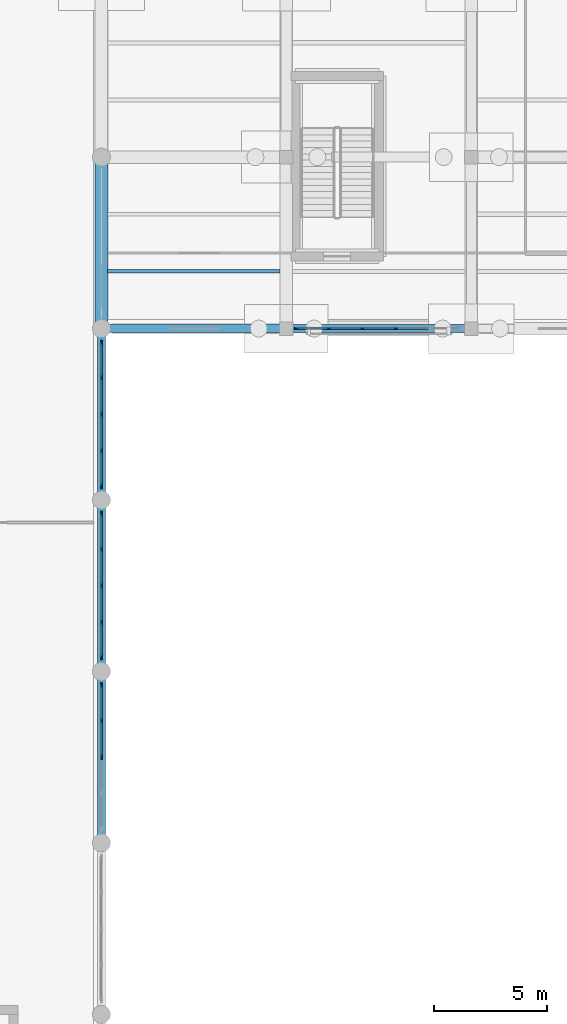
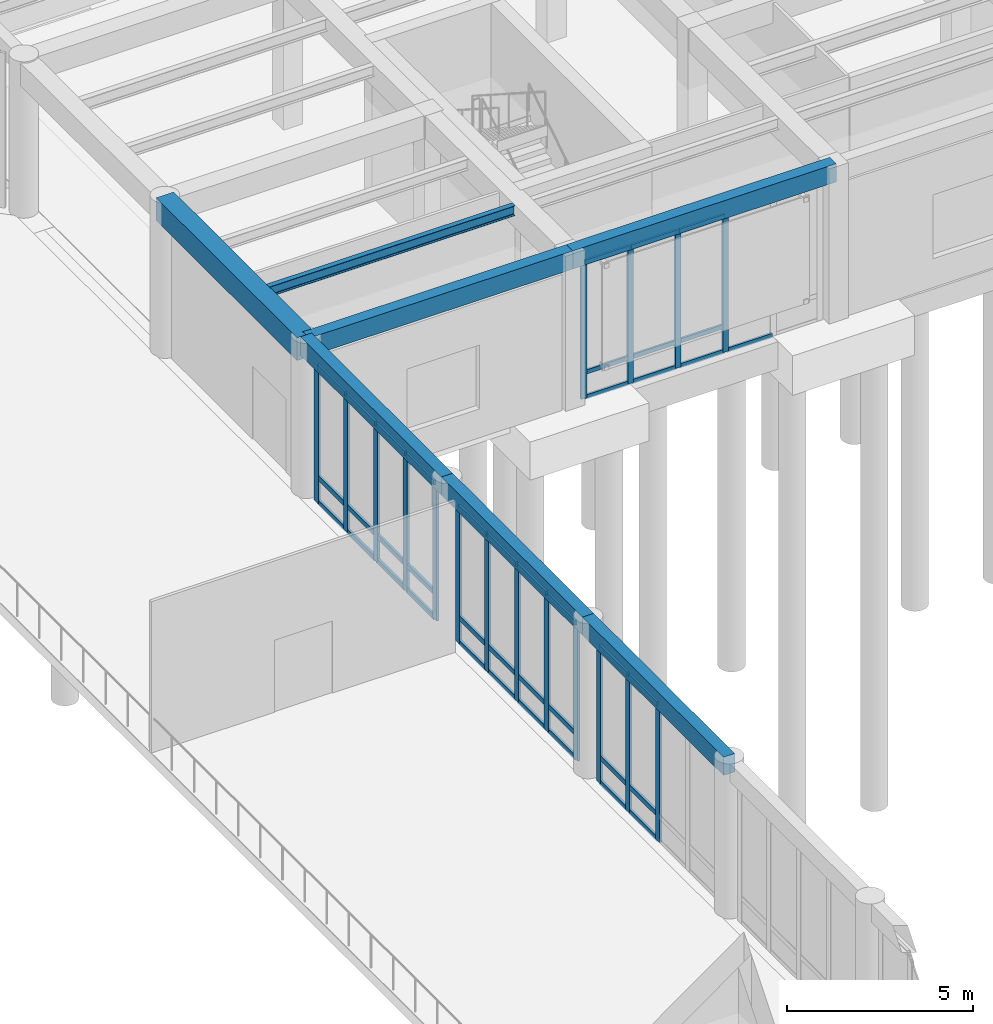
# One storey, part 22 of 64: 57 members, 7 beams, 4 elements without a shape of their own.
"""IFC4 building model written with IfcOpenShell, lengths in metres."""

from ifc_helpers import new_model, si_unit, direction, frame, origin, origin_2d, place, context, subcontext, project, spatial, rectangle, i_section, extrude, material, material_profile, profile_set, type_object, element, aggregate, save


model = new_model("IFC4")

# Units and contexts
model_context = context("Model", 3, precision=1e-05, world=origin(), true_north=direction((0.0, 1.0)))
body_context = subcontext(model_context, "Body", "Model", "MODEL_VIEW")
ifc_project = project(units=[si_unit("LENGTHUNIT", "METRE"), si_unit("AREAUNIT", "SQUARE_METRE"), si_unit("VOLUMEUNIT", "CUBIC_METRE"), si_unit("PLANEANGLEUNIT", "RADIAN"), si_unit("MASSUNIT", "GRAM", prefix="KILO")], contexts=[model_context])

# Site, building, storey
site_placement = place(None, origin())
site = spatial("IfcSite", under=ifc_project, at=site_placement, CompositionType="ELEMENT")
building_placement = place(site_placement, origin())
building = spatial("IfcBuilding", under=site, at=building_placement, Name="Qandaris Square Conservatory and Botanical Centre", CompositionType="ELEMENT")
storey_placement = place(building_placement, origin())
storey = spatial("IfcBuildingStorey", under=building, at=storey_placement, Name="L00", CompositionType="ELEMENT", Elevation=0.0)

# Beam
ifc_material_1 = material(Name="Steel S355", Category="steel")
ifc_material_profile_1 = material_profile(ifc_material_1, i_section(OverallWidth=0.159912109375, OverallDepth=0.330078125, WebThickness=0.007568359375, FlangeThickness=0.011474609375, FilletRadius=0.01806640625, at=origin_2d()), Name="IPE 330")
ifc_profile_set_1 = profile_set([ifc_material_profile_1], Name="Steel S355")
beam_type_1 = type_object("IfcBeamType", Name="Composite Lab Joist IPE 330", PredefinedType="JOIST", material=ifc_profile_set_1)
beam_1_placement = place(storey_placement, frame((57.47509765625, 95.13330078125, 4.925048828125), z_axis=(1.0, 0.0, 0.0), x_axis=(0.0, 1.0, 0.0)))
element("IfcBeam", 1, at=beam_1_placement, inside=storey, type_object=beam_type_1, Name="L00 Composite Joist 0717", PredefinedType="JOIST", context=body_context, shape_type="SweptSolid", body=[
    extrude(i_section(OverallWidth=0.159912109375, OverallDepth=0.330078125, WebThickness=0.007568359375, FlangeThickness=0.011474609375, FilletRadius=0.01806640625, at=origin_2d()), origin(), (0.0, 0.0, 1.0), 7.64990234375),
])

# Curtain wall, members
ifc_material_2 = material(Name="Anodised Aluminium", Category="aluminium")
curtain_wall_type_1 = type_object("IfcCurtainWallType", Name="Unitised Curtain Wall CW-1-644x450", PredefinedType="USERDEFINED", material=ifc_material_2)
curtain_wall_1_placement = place(storey_placement, origin())
curtain_wall_1 = element("IfcCurtainWall", 2, at=curtain_wall_1_placement, inside=storey, type_object=curtain_wall_type_1, Name="Curtain Wall CW-CON-L00-3-3", ObjectType="GLAZED CURTAIN WALL", PredefinedType="USERDEFINED")
ifc_material_profile_2 = material_profile(ifc_material_2, rectangle(XDim=0.074951171875, YDim=0.219970703125, at=origin_2d()), Name="ALU-MUL 75x220")
ifc_profile_set_2 = profile_set([ifc_material_profile_2], Name="Anodised Aluminium")
member_type_1 = type_object("IfcMemberType", Name="Conservatory Heavy Mullion 75x220", PredefinedType="MULLION", material=ifc_profile_set_2)
member_1_placement = place(storey_placement, frame((57.199951171875, 73.60009765625, 0.0), z_axis=(0.0, 0.0, 1.0), x_axis=(-1.0, 0.0, 0.0)))
member_1 = element("IfcMember", 3, at=member_1_placement, type_object=member_type_1, Name="CW-1-644x450 mullion 3", PredefinedType="MULLION", context=body_context, shape_type="SweptSolid", body=[
    extrude(rectangle(XDim=0.074951171875, YDim=0.219970703125, at=origin_2d()), origin(), (0.0, 0.0, 1.0), 4.5),
])
member_2_placement = place(storey_placement, frame((57.199951171875, 75.2099609375, 0.0), z_axis=(0.0, 0.0, 1.0), x_axis=(-1.0, 0.0, 0.0)))
member_2 = element("IfcMember", 4, at=member_2_placement, type_object=member_type_1, Name="CW-1-644x450 mullion 4", PredefinedType="MULLION", context=body_context, shape_type="SweptSolid", body=[
    extrude(rectangle(XDim=0.074951171875, YDim=0.219970703125, at=origin_2d()), origin(), (0.0, 0.0, 1.0), 4.5),
])
member_3_placement = place(storey_placement, frame((57.199951171875, 76.782470703125, 0.0), z_axis=(0.0, 0.0, 1.0), x_axis=(-1.0, 0.0, 0.0)))
member_3 = element("IfcMember", 5, at=member_3_placement, type_object=member_type_1, Name="CW-1-644x450 mullion 5", PredefinedType="MULLION", context=body_context, shape_type="SweptSolid", body=[
    extrude(rectangle(XDim=0.074951171875, YDim=0.219970703125, at=origin_2d()), origin(), (0.0, 0.0, 1.0), 4.5),
])

curtain_wall_2_placement = place(storey_placement, origin())
curtain_wall_2 = element("IfcCurtainWall", 6, at=curtain_wall_2_placement, inside=storey, type_object=curtain_wall_type_1, Name="Curtain Wall CW-CON-L00-3-4", ObjectType="GLAZED CURTAIN WALL", PredefinedType="USERDEFINED")
member_4_placement = place(storey_placement, frame((57.199951171875, 78.017578125, 0.0), z_axis=(0.0, 0.0, 1.0), x_axis=(-1.0, 0.0, 0.0)))
member_4 = element("IfcMember", 7, at=member_4_placement, type_object=member_type_1, Name="CW-1-644x450 mullion 1", PredefinedType="MULLION", context=body_context, shape_type="SweptSolid", body=[
    extrude(rectangle(XDim=0.074951171875, YDim=0.219970703125, at=origin_2d()), origin(), (0.0, 0.0, 1.0), 4.5),
])
member_5_placement = place(storey_placement, frame((57.199951171875, 79.590087890625, 0.0), z_axis=(0.0, 0.0, 1.0), x_axis=(-1.0, 0.0, 0.0)))
member_5 = element("IfcMember", 8, at=member_5_placement, type_object=member_type_1, Name="CW-1-644x450 mullion 2", PredefinedType="MULLION", context=body_context, shape_type="SweptSolid", body=[
    extrude(rectangle(XDim=0.074951171875, YDim=0.219970703125, at=origin_2d()), origin(), (0.0, 0.0, 1.0), 4.5),
])
member_6_placement = place(storey_placement, frame((57.199951171875, 81.199951171875, 0.0), z_axis=(0.0, 0.0, 1.0), x_axis=(-1.0, 0.0, 0.0)))
member_6 = element("IfcMember", 9, at=member_6_placement, type_object=member_type_1, Name="CW-1-644x450 mullion 3", PredefinedType="MULLION", context=body_context, shape_type="SweptSolid", body=[
    extrude(rectangle(XDim=0.074951171875, YDim=0.219970703125, at=origin_2d()), origin(), (0.0, 0.0, 1.0), 4.5),
])
member_7_placement = place(storey_placement, frame((57.199951171875, 82.81005859375, 0.0), z_axis=(0.0, 0.0, 1.0), x_axis=(-1.0, 0.0, 0.0)))
member_7 = element("IfcMember", 10, at=member_7_placement, type_object=member_type_1, Name="CW-1-644x450 mullion 4", PredefinedType="MULLION", context=body_context, shape_type="SweptSolid", body=[
    extrude(rectangle(XDim=0.074951171875, YDim=0.219970703125, at=origin_2d()), origin(), (0.0, 0.0, 1.0), 4.5),
])
member_8_placement = place(storey_placement, frame((57.199951171875, 84.382568359375, 0.0), z_axis=(0.0, 0.0, 1.0), x_axis=(-1.0, 0.0, 0.0)))
member_8 = element("IfcMember", 11, at=member_8_placement, type_object=member_type_1, Name="CW-1-644x450 mullion 5", PredefinedType="MULLION", context=body_context, shape_type="SweptSolid", body=[
    extrude(rectangle(XDim=0.074951171875, YDim=0.219970703125, at=origin_2d()), origin(), (0.0, 0.0, 1.0), 4.5),
])

curtain_wall_3_placement = place(storey_placement, origin())
curtain_wall_3 = element("IfcCurtainWall", 12, at=curtain_wall_3_placement, inside=storey, type_object=curtain_wall_type_1, Name="Curtain Wall CW-CON-L00-3-5", ObjectType="GLAZED CURTAIN WALL", PredefinedType="USERDEFINED")
member_9_placement = place(storey_placement, frame((57.199951171875, 85.617431640625, 0.0), z_axis=(0.0, 0.0, 1.0), x_axis=(-1.0, 0.0, 0.0)))
member_9 = element("IfcMember", 13, at=member_9_placement, type_object=member_type_1, Name="CW-1-644x450 mullion 1", PredefinedType="MULLION", context=body_context, shape_type="SweptSolid", body=[
    extrude(rectangle(XDim=0.074951171875, YDim=0.219970703125, at=origin_2d()), origin(), (0.0, 0.0, 1.0), 4.5),
])
member_10_placement = place(storey_placement, frame((57.199951171875, 87.18994140625, 0.0), z_axis=(0.0, 0.0, 1.0), x_axis=(-1.0, 0.0, 0.0)))
member_10 = element("IfcMember", 14, at=member_10_placement, type_object=member_type_1, Name="CW-1-644x450 mullion 2", PredefinedType="MULLION", context=body_context, shape_type="SweptSolid", body=[
    extrude(rectangle(XDim=0.074951171875, YDim=0.219970703125, at=origin_2d()), origin(), (0.0, 0.0, 1.0), 4.5),
])
member_11_placement = place(storey_placement, frame((57.199951171875, 88.800048828125, 0.0), z_axis=(0.0, 0.0, 1.0), x_axis=(-1.0, 0.0, 0.0)))
member_11 = element("IfcMember", 15, at=member_11_placement, type_object=member_type_1, Name="CW-1-644x450 mullion 3", PredefinedType="MULLION", context=body_context, shape_type="SweptSolid", body=[
    extrude(rectangle(XDim=0.074951171875, YDim=0.219970703125, at=origin_2d()), origin(), (0.0, 0.0, 1.0), 4.5),
])
member_12_placement = place(storey_placement, frame((57.199951171875, 90.409912109375, 0.0), z_axis=(0.0, 0.0, 1.0), x_axis=(-1.0, 0.0, 0.0)))
member_12 = element("IfcMember", 16, at=member_12_placement, type_object=member_type_1, Name="CW-1-644x450 mullion 4", PredefinedType="MULLION", context=body_context, shape_type="SweptSolid", body=[
    extrude(rectangle(XDim=0.074951171875, YDim=0.219970703125, at=origin_2d()), origin(), (0.0, 0.0, 1.0), 4.5),
])
member_13_placement = place(storey_placement, frame((57.199951171875, 91.982421875, 0.0), z_axis=(0.0, 0.0, 1.0), x_axis=(-1.0, 0.0, 0.0)))
member_13 = element("IfcMember", 17, at=member_13_placement, type_object=member_type_1, Name="CW-1-644x450 mullion 5", PredefinedType="MULLION", context=body_context, shape_type="SweptSolid", body=[
    extrude(rectangle(XDim=0.074951171875, YDim=0.219970703125, at=origin_2d()), origin(), (0.0, 0.0, 1.0), 4.5),
])

# Member
ifc_material_profile_3 = material_profile(ifc_material_2, rectangle(XDim=0.074951171875, YDim=0.159912109375, at=origin_2d()), Name="ALU-TRN 75x160")
ifc_profile_set_3 = profile_set([ifc_material_profile_3], Name="Anodised Aluminium")
member_type_2 = type_object("IfcMemberType", Name="Conservatory Heavy Transom 75x160", PredefinedType="USERDEFINED", material=ifc_profile_set_3)
member_14_placement = place(storey_placement, frame((57.199951171875, 73.637451171875, 0.03759765625), z_axis=(0.0, 1.0, 0.0), x_axis=(-1.0, 0.0, 0.0)))
member_14 = element("IfcMember", 18, at=member_14_placement, type_object=member_type_2, Name="CW-1-644x450 transom 3.1", ObjectType="TRANSOM", PredefinedType="USERDEFINED", context=body_context, shape_type="SweptSolid", body=[
    extrude(rectangle(XDim=0.074951171875, YDim=0.159912109375, at=origin_2d()), origin(), (0.0, 0.0, 1.0), 1.53515625),
])

member_15_placement = place(storey_placement, frame((57.199951171875, 73.637451171875, 0.85009765625), z_axis=(0.0, 1.0, 0.0), x_axis=(-1.0, 0.0, 0.0)))
member_15 = element("IfcMember", 19, at=member_15_placement, type_object=member_type_2, Name="CW-1-644x450 transom 3.2", ObjectType="TRANSOM", PredefinedType="USERDEFINED", context=body_context, shape_type="SweptSolid", body=[
    extrude(rectangle(XDim=0.074951171875, YDim=0.159912109375, at=origin_2d()), origin(), (0.0, 0.0, 1.0), 1.53515625),
])

member_16_placement = place(storey_placement, frame((57.199951171875, 73.637451171875, 4.46240234375), z_axis=(0.0, 1.0, 0.0), x_axis=(-1.0, 0.0, 0.0)))
member_16 = element("IfcMember", 20, at=member_16_placement, type_object=member_type_2, Name="CW-1-644x450 transom 3.3", ObjectType="TRANSOM", PredefinedType="USERDEFINED", context=body_context, shape_type="SweptSolid", body=[
    extrude(rectangle(XDim=0.074951171875, YDim=0.159912109375, at=origin_2d()), origin(), (0.0, 0.0, 1.0), 1.53515625),
])

member_17_placement = place(storey_placement, frame((57.199951171875, 75.24755859375, 0.03759765625), z_axis=(0.0, 1.0, 0.0), x_axis=(-1.0, 0.0, 0.0)))
member_17 = element("IfcMember", 21, at=member_17_placement, type_object=member_type_2, Name="CW-1-644x450 transom 4.1", ObjectType="TRANSOM", PredefinedType="USERDEFINED", context=body_context, shape_type="SweptSolid", body=[
    extrude(rectangle(XDim=0.074951171875, YDim=0.159912109375, at=origin_2d()), origin(), (0.0, 0.0, 1.0), 1.49755859375),
])

member_18_placement = place(storey_placement, frame((57.199951171875, 75.24755859375, 0.85009765625), z_axis=(0.0, 1.0, 0.0), x_axis=(-1.0, 0.0, 0.0)))
member_18 = element("IfcMember", 22, at=member_18_placement, type_object=member_type_2, Name="CW-1-644x450 transom 4.2", ObjectType="TRANSOM", PredefinedType="USERDEFINED", context=body_context, shape_type="SweptSolid", body=[
    extrude(rectangle(XDim=0.074951171875, YDim=0.159912109375, at=origin_2d()), origin(), (0.0, 0.0, 1.0), 1.49755859375),
])

member_19_placement = place(storey_placement, frame((57.199951171875, 75.24755859375, 4.46240234375), z_axis=(0.0, 1.0, 0.0), x_axis=(-1.0, 0.0, 0.0)))
member_19 = element("IfcMember", 23, at=member_19_placement, type_object=member_type_2, Name="CW-1-644x450 transom 4.3", ObjectType="TRANSOM", PredefinedType="USERDEFINED", context=body_context, shape_type="SweptSolid", body=[
    extrude(rectangle(XDim=0.074951171875, YDim=0.159912109375, at=origin_2d()), origin(), (0.0, 0.0, 1.0), 1.49755859375),
])

aggregate(curtain_wall_1, [member_1, member_2, member_3, member_14, member_15, member_16, member_17, member_18, member_19])

member_20_placement = place(storey_placement, frame((57.199951171875, 78.054931640625, 0.03759765625), z_axis=(0.0, 1.0, 0.0), x_axis=(-1.0, 0.0, 0.0)))
member_20 = element("IfcMember", 24, at=member_20_placement, type_object=member_type_2, Name="CW-1-644x450 transom 1.1", ObjectType="TRANSOM", PredefinedType="USERDEFINED", context=body_context, shape_type="SweptSolid", body=[
    extrude(rectangle(XDim=0.074951171875, YDim=0.159912109375, at=origin_2d()), origin(), (0.0, 0.0, 1.0), 1.49755859375),
])

member_21_placement = place(storey_placement, frame((57.199951171875, 78.054931640625, 0.85009765625), z_axis=(0.0, 1.0, 0.0), x_axis=(-1.0, 0.0, 0.0)))
member_21 = element("IfcMember", 25, at=member_21_placement, type_object=member_type_2, Name="CW-1-644x450 transom 1.2", ObjectType="TRANSOM", PredefinedType="USERDEFINED", context=body_context, shape_type="SweptSolid", body=[
    extrude(rectangle(XDim=0.074951171875, YDim=0.159912109375, at=origin_2d()), origin(), (0.0, 0.0, 1.0), 1.49755859375),
])

member_22_placement = place(storey_placement, frame((57.199951171875, 78.054931640625, 4.46240234375), z_axis=(0.0, 1.0, 0.0), x_axis=(-1.0, 0.0, 0.0)))
member_22 = element("IfcMember", 26, at=member_22_placement, type_object=member_type_2, Name="CW-1-644x450 transom 1.3", ObjectType="TRANSOM", PredefinedType="USERDEFINED", context=body_context, shape_type="SweptSolid", body=[
    extrude(rectangle(XDim=0.074951171875, YDim=0.159912109375, at=origin_2d()), origin(), (0.0, 0.0, 1.0), 1.49755859375),
])

member_23_placement = place(storey_placement, frame((57.199951171875, 79.62744140625, 0.03759765625), z_axis=(0.0, 1.0, 0.0), x_axis=(-1.0, 0.0, 0.0)))
member_23 = element("IfcMember", 27, at=member_23_placement, type_object=member_type_2, Name="CW-1-644x450 transom 2.1", ObjectType="TRANSOM", PredefinedType="USERDEFINED", context=body_context, shape_type="SweptSolid", body=[
    extrude(rectangle(XDim=0.074951171875, YDim=0.159912109375, at=origin_2d()), origin(), (0.0, 0.0, 1.0), 1.53515625),
])

member_24_placement = place(storey_placement, frame((57.199951171875, 79.62744140625, 0.85009765625), z_axis=(0.0, 1.0, 0.0), x_axis=(-1.0, 0.0, 0.0)))
member_24 = element("IfcMember", 28, at=member_24_placement, type_object=member_type_2, Name="CW-1-644x450 transom 2.2", ObjectType="TRANSOM", PredefinedType="USERDEFINED", context=body_context, shape_type="SweptSolid", body=[
    extrude(rectangle(XDim=0.074951171875, YDim=0.159912109375, at=origin_2d()), origin(), (0.0, 0.0, 1.0), 1.53515625),
])

member_25_placement = place(storey_placement, frame((57.199951171875, 79.62744140625, 4.46240234375), z_axis=(0.0, 1.0, 0.0), x_axis=(-1.0, 0.0, 0.0)))
member_25 = element("IfcMember", 29, at=member_25_placement, type_object=member_type_2, Name="CW-1-644x450 transom 2.3", ObjectType="TRANSOM", PredefinedType="USERDEFINED", context=body_context, shape_type="SweptSolid", body=[
    extrude(rectangle(XDim=0.074951171875, YDim=0.159912109375, at=origin_2d()), origin(), (0.0, 0.0, 1.0), 1.53515625),
])

member_26_placement = place(storey_placement, frame((57.199951171875, 81.237548828125, 0.03759765625), z_axis=(0.0, 1.0, 0.0), x_axis=(-1.0, 0.0, 0.0)))
member_26 = element("IfcMember", 30, at=member_26_placement, type_object=member_type_2, Name="CW-1-644x450 transom 3.1", ObjectType="TRANSOM", PredefinedType="USERDEFINED", context=body_context, shape_type="SweptSolid", body=[
    extrude(rectangle(XDim=0.074951171875, YDim=0.159912109375, at=origin_2d()), origin(), (0.0, 0.0, 1.0), 1.534912109375),
])

member_27_placement = place(storey_placement, frame((57.199951171875, 81.237548828125, 0.85009765625), z_axis=(0.0, 1.0, 0.0), x_axis=(-1.0, 0.0, 0.0)))
member_27 = element("IfcMember", 31, at=member_27_placement, type_object=member_type_2, Name="CW-1-644x450 transom 3.2", ObjectType="TRANSOM", PredefinedType="USERDEFINED", context=body_context, shape_type="SweptSolid", body=[
    extrude(rectangle(XDim=0.074951171875, YDim=0.159912109375, at=origin_2d()), origin(), (0.0, 0.0, 1.0), 1.534912109375),
])

member_28_placement = place(storey_placement, frame((57.199951171875, 81.237548828125, 4.46240234375), z_axis=(0.0, 1.0, 0.0), x_axis=(-1.0, 0.0, 0.0)))
member_28 = element("IfcMember", 32, at=member_28_placement, type_object=member_type_2, Name="CW-1-644x450 transom 3.3", ObjectType="TRANSOM", PredefinedType="USERDEFINED", context=body_context, shape_type="SweptSolid", body=[
    extrude(rectangle(XDim=0.074951171875, YDim=0.159912109375, at=origin_2d()), origin(), (0.0, 0.0, 1.0), 1.534912109375),
])

member_29_placement = place(storey_placement, frame((57.199951171875, 82.847412109375, 0.03759765625), z_axis=(0.0, 1.0, 0.0), x_axis=(-1.0, 0.0, 0.0)))
member_29 = element("IfcMember", 33, at=member_29_placement, type_object=member_type_2, Name="CW-1-644x450 transom 4.1", ObjectType="TRANSOM", PredefinedType="USERDEFINED", context=body_context, shape_type="SweptSolid", body=[
    extrude(rectangle(XDim=0.074951171875, YDim=0.159912109375, at=origin_2d()), origin(), (0.0, 0.0, 1.0), 1.49755859375),
])

member_30_placement = place(storey_placement, frame((57.199951171875, 82.847412109375, 0.85009765625), z_axis=(0.0, 1.0, 0.0), x_axis=(-1.0, 0.0, 0.0)))
member_30 = element("IfcMember", 34, at=member_30_placement, type_object=member_type_2, Name="CW-1-644x450 transom 4.2", ObjectType="TRANSOM", PredefinedType="USERDEFINED", context=body_context, shape_type="SweptSolid", body=[
    extrude(rectangle(XDim=0.074951171875, YDim=0.159912109375, at=origin_2d()), origin(), (0.0, 0.0, 1.0), 1.49755859375),
])

member_31_placement = place(storey_placement, frame((57.199951171875, 82.847412109375, 4.46240234375), z_axis=(0.0, 1.0, 0.0), x_axis=(-1.0, 0.0, 0.0)))
member_31 = element("IfcMember", 35, at=member_31_placement, type_object=member_type_2, Name="CW-1-644x450 transom 4.3", ObjectType="TRANSOM", PredefinedType="USERDEFINED", context=body_context, shape_type="SweptSolid", body=[
    extrude(rectangle(XDim=0.074951171875, YDim=0.159912109375, at=origin_2d()), origin(), (0.0, 0.0, 1.0), 1.49755859375),
])

aggregate(curtain_wall_2, [member_4, member_5, member_6, member_7, member_8, member_20, member_21, member_22, member_23, member_24, member_25, member_26, member_27, member_28, member_29, member_30, member_31])

member_32_placement = place(storey_placement, frame((57.199951171875, 85.655029296875, 0.03759765625), z_axis=(0.0, 1.0, 0.0), x_axis=(-1.0, 0.0, 0.0)))
member_32 = element("IfcMember", 36, at=member_32_placement, type_object=member_type_2, Name="CW-1-644x450 transom 1.1", ObjectType="TRANSOM", PredefinedType="USERDEFINED", context=body_context, shape_type="SweptSolid", body=[
    extrude(rectangle(XDim=0.074951171875, YDim=0.159912109375, at=origin_2d()), origin(), (0.0, 0.0, 1.0), 1.49755859375),
])

member_33_placement = place(storey_placement, frame((57.199951171875, 85.655029296875, 0.85009765625), z_axis=(0.0, 1.0, 0.0), x_axis=(-1.0, 0.0, 0.0)))
member_33 = element("IfcMember", 37, at=member_33_placement, type_object=member_type_2, Name="CW-1-644x450 transom 1.2", ObjectType="TRANSOM", PredefinedType="USERDEFINED", context=body_context, shape_type="SweptSolid", body=[
    extrude(rectangle(XDim=0.074951171875, YDim=0.159912109375, at=origin_2d()), origin(), (0.0, 0.0, 1.0), 1.49755859375),
])

member_34_placement = place(storey_placement, frame((57.199951171875, 85.655029296875, 4.46240234375), z_axis=(0.0, 1.0, 0.0), x_axis=(-1.0, 0.0, 0.0)))
member_34 = element("IfcMember", 38, at=member_34_placement, type_object=member_type_2, Name="CW-1-644x450 transom 1.3", ObjectType="TRANSOM", PredefinedType="USERDEFINED", context=body_context, shape_type="SweptSolid", body=[
    extrude(rectangle(XDim=0.074951171875, YDim=0.159912109375, at=origin_2d()), origin(), (0.0, 0.0, 1.0), 1.49755859375),
])

member_35_placement = place(storey_placement, frame((57.199951171875, 87.2275390625, 0.03759765625), z_axis=(0.0, 1.0, 0.0), x_axis=(-1.0, 0.0, 0.0)))
member_35 = element("IfcMember", 39, at=member_35_placement, type_object=member_type_2, Name="CW-1-644x450 transom 2.1", ObjectType="TRANSOM", PredefinedType="USERDEFINED", context=body_context, shape_type="SweptSolid", body=[
    extrude(rectangle(XDim=0.074951171875, YDim=0.159912109375, at=origin_2d()), origin(), (0.0, 0.0, 1.0), 1.534912109375),
])

member_36_placement = place(storey_placement, frame((57.199951171875, 87.2275390625, 0.85009765625), z_axis=(0.0, 1.0, 0.0), x_axis=(-1.0, 0.0, 0.0)))
member_36 = element("IfcMember", 40, at=member_36_placement, type_object=member_type_2, Name="CW-1-644x450 transom 2.2", ObjectType="TRANSOM", PredefinedType="USERDEFINED", context=body_context, shape_type="SweptSolid", body=[
    extrude(rectangle(XDim=0.074951171875, YDim=0.159912109375, at=origin_2d()), origin(), (0.0, 0.0, 1.0), 1.534912109375),
])

member_37_placement = place(storey_placement, frame((57.199951171875, 87.2275390625, 4.46240234375), z_axis=(0.0, 1.0, 0.0), x_axis=(-1.0, 0.0, 0.0)))
member_37 = element("IfcMember", 41, at=member_37_placement, type_object=member_type_2, Name="CW-1-644x450 transom 2.3", ObjectType="TRANSOM", PredefinedType="USERDEFINED", context=body_context, shape_type="SweptSolid", body=[
    extrude(rectangle(XDim=0.074951171875, YDim=0.159912109375, at=origin_2d()), origin(), (0.0, 0.0, 1.0), 1.534912109375),
])

member_38_placement = place(storey_placement, frame((57.199951171875, 88.83740234375, 0.03759765625), z_axis=(0.0, 1.0, 0.0), x_axis=(-1.0, 0.0, 0.0)))
member_38 = element("IfcMember", 42, at=member_38_placement, type_object=member_type_2, Name="CW-1-644x450 transom 3.1", ObjectType="TRANSOM", PredefinedType="USERDEFINED", context=body_context, shape_type="SweptSolid", body=[
    extrude(rectangle(XDim=0.074951171875, YDim=0.159912109375, at=origin_2d()), origin(), (0.0, 0.0, 1.0), 1.53515625),
])

member_39_placement = place(storey_placement, frame((57.199951171875, 88.83740234375, 0.85009765625), z_axis=(0.0, 1.0, 0.0), x_axis=(-1.0, 0.0, 0.0)))
member_39 = element("IfcMember", 43, at=member_39_placement, type_object=member_type_2, Name="CW-1-644x450 transom 3.2", ObjectType="TRANSOM", PredefinedType="USERDEFINED", context=body_context, shape_type="SweptSolid", body=[
    extrude(rectangle(XDim=0.074951171875, YDim=0.159912109375, at=origin_2d()), origin(), (0.0, 0.0, 1.0), 1.53515625),
])

member_40_placement = place(storey_placement, frame((57.199951171875, 88.83740234375, 4.46240234375), z_axis=(0.0, 1.0, 0.0), x_axis=(-1.0, 0.0, 0.0)))
member_40 = element("IfcMember", 44, at=member_40_placement, type_object=member_type_2, Name="CW-1-644x450 transom 3.3", ObjectType="TRANSOM", PredefinedType="USERDEFINED", context=body_context, shape_type="SweptSolid", body=[
    extrude(rectangle(XDim=0.074951171875, YDim=0.159912109375, at=origin_2d()), origin(), (0.0, 0.0, 1.0), 1.53515625),
])

member_41_placement = place(storey_placement, frame((57.199951171875, 90.447509765625, 0.03759765625), z_axis=(0.0, 1.0, 0.0), x_axis=(-1.0, 0.0, 0.0)))
member_41 = element("IfcMember", 45, at=member_41_placement, type_object=member_type_2, Name="CW-1-644x450 transom 4.1", ObjectType="TRANSOM", PredefinedType="USERDEFINED", context=body_context, shape_type="SweptSolid", body=[
    extrude(rectangle(XDim=0.074951171875, YDim=0.159912109375, at=origin_2d()), origin(), (0.0, 0.0, 1.0), 1.49755859375),
])

member_42_placement = place(storey_placement, frame((57.199951171875, 90.447509765625, 0.85009765625), z_axis=(0.0, 1.0, 0.0), x_axis=(-1.0, 0.0, 0.0)))
member_42 = element("IfcMember", 46, at=member_42_placement, type_object=member_type_2, Name="CW-1-644x450 transom 4.2", ObjectType="TRANSOM", PredefinedType="USERDEFINED", context=body_context, shape_type="SweptSolid", body=[
    extrude(rectangle(XDim=0.074951171875, YDim=0.159912109375, at=origin_2d()), origin(), (0.0, 0.0, 1.0), 1.49755859375),
])

member_43_placement = place(storey_placement, frame((57.199951171875, 90.447509765625, 4.46240234375), z_axis=(0.0, 1.0, 0.0), x_axis=(-1.0, 0.0, 0.0)))
member_43 = element("IfcMember", 47, at=member_43_placement, type_object=member_type_2, Name="CW-1-644x450 transom 4.3", ObjectType="TRANSOM", PredefinedType="USERDEFINED", context=body_context, shape_type="SweptSolid", body=[
    extrude(rectangle(XDim=0.074951171875, YDim=0.159912109375, at=origin_2d()), origin(), (0.0, 0.0, 1.0), 1.49755859375),
])

aggregate(curtain_wall_3, [member_9, member_10, member_11, member_12, member_13, member_32, member_33, member_34, member_35, member_36, member_37, member_38, member_39, member_40, member_41, member_42, member_43])

# Curtain wall, members
curtain_wall_type_2 = type_object("IfcCurtainWallType", Name="Unitised Curtain Wall CW-5-740x450", PredefinedType="USERDEFINED", material=ifc_material_2)
curtain_wall_4_placement = place(storey_placement, origin())
curtain_wall_4 = element("IfcCurtainWall", 48, at=curtain_wall_4_placement, inside=storey, type_object=curtain_wall_type_2, Name="Curtain Wall CW-V3B-L00-1-2", ObjectType="GLAZED CURTAIN WALL", PredefinedType="USERDEFINED")
ifc_material_profile_4 = material_profile(ifc_material_2, rectangle(XDim=0.06494140625, YDim=0.179931640625, at=origin_2d()), Name="ALU-MUL 65x180")
ifc_profile_set_4 = profile_set([ifc_material_profile_4], Name="Anodised Aluminium")
member_type_3 = type_object("IfcMemberType", Name="Curtain Wall Mullion 65x180", PredefinedType="MULLION", material=ifc_profile_set_4)
member_44_placement = place(storey_placement, frame((65.83251953125, 92.60009765625, 0.0), z_axis=(0.0, 0.0, 1.0), x_axis=(0.0, 1.0, 0.0)))
member_44 = element("IfcMember", 49, at=member_44_placement, type_object=member_type_3, Name="CW-5-740x450 mullion 1", PredefinedType="MULLION", context=body_context, shape_type="SweptSolid", body=[
    extrude(rectangle(XDim=0.06494140625, YDim=0.179931640625, at=origin_2d()), origin(), (0.0, 0.0, 1.0), 4.5),
])
member_45_placement = place(storey_placement, frame((67.280029296875, 92.60009765625, 0.0), z_axis=(0.0, 0.0, 1.0), x_axis=(0.0, 1.0, 0.0)))
member_45 = element("IfcMember", 50, at=member_45_placement, type_object=member_type_3, Name="CW-5-740x450 mullion 2", PredefinedType="MULLION", context=body_context, shape_type="SweptSolid", body=[
    extrude(rectangle(XDim=0.06494140625, YDim=0.179931640625, at=origin_2d()), origin(), (0.0, 0.0, 1.0), 4.5),
])
member_46_placement = place(storey_placement, frame((68.760009765625, 92.60009765625, 0.0), z_axis=(0.0, 0.0, 1.0), x_axis=(0.0, 1.0, 0.0)))
member_46 = element("IfcMember", 51, at=member_46_placement, type_object=member_type_3, Name="CW-5-740x450 mullion 3", PredefinedType="MULLION", context=body_context, shape_type="SweptSolid", body=[
    extrude(rectangle(XDim=0.06494140625, YDim=0.179931640625, at=origin_2d()), origin(), (0.0, 0.0, 1.0), 4.5),
])
member_47_placement = place(storey_placement, frame((70.239990234375, 92.60009765625, 0.0), z_axis=(0.0, 0.0, 1.0), x_axis=(0.0, 1.0, 0.0)))
member_47 = element("IfcMember", 52, at=member_47_placement, type_object=member_type_3, Name="CW-5-740x450 mullion 4", PredefinedType="MULLION", context=body_context, shape_type="SweptSolid", body=[
    extrude(rectangle(XDim=0.06494140625, YDim=0.179931640625, at=origin_2d()), origin(), (0.0, 0.0, 1.0), 4.5),
])
ifc_material_profile_5 = material_profile(ifc_material_2, rectangle(XDim=0.06494140625, YDim=0.139892578125, at=origin_2d()), Name="ALU-TRN 65x140")
ifc_profile_set_5 = profile_set([ifc_material_profile_5], Name="Anodised Aluminium")
member_type_4 = type_object("IfcMemberType", Name="Curtain Wall Transom 65x140", PredefinedType="USERDEFINED", material=ifc_profile_set_5)
member_48_placement = place(storey_placement, frame((65.864990234375, 92.60009765625, 0.032470703125), z_axis=(1.0, 0.0, 0.0), x_axis=(0.0, 1.0, 0.0)))
member_48 = element("IfcMember", 53, at=member_48_placement, type_object=member_type_4, Name="CW-5-740x450 transom 1.1", ObjectType="TRANSOM", PredefinedType="USERDEFINED", context=body_context, shape_type="SweptSolid", body=[
    extrude(rectangle(XDim=0.06494140625, YDim=0.139892578125, at=origin_2d()), origin(), (0.0, 0.0, 1.0), 1.382568359375),
])
member_49_placement = place(storey_placement, frame((65.864990234375, 92.60009765625, 0.85009765625), z_axis=(1.0, 0.0, 0.0), x_axis=(0.0, 1.0, 0.0)))
member_49 = element("IfcMember", 54, at=member_49_placement, type_object=member_type_4, Name="CW-5-740x450 transom 1.2", ObjectType="TRANSOM", PredefinedType="USERDEFINED", context=body_context, shape_type="SweptSolid", body=[
    extrude(rectangle(XDim=0.06494140625, YDim=0.139892578125, at=origin_2d()), origin(), (0.0, 0.0, 1.0), 1.382568359375),
])
member_50_placement = place(storey_placement, frame((65.864990234375, 92.60009765625, 4.467529296875), z_axis=(1.0, 0.0, 0.0), x_axis=(0.0, 1.0, 0.0)))
member_50 = element("IfcMember", 55, at=member_50_placement, type_object=member_type_4, Name="CW-5-740x450 transom 1.3", ObjectType="TRANSOM", PredefinedType="USERDEFINED", context=body_context, shape_type="SweptSolid", body=[
    extrude(rectangle(XDim=0.06494140625, YDim=0.139892578125, at=origin_2d()), origin(), (0.0, 0.0, 1.0), 1.382568359375),
])
member_51_placement = place(storey_placement, frame((67.3125, 92.60009765625, 0.032470703125), z_axis=(1.0, 0.0, 0.0), x_axis=(0.0, 1.0, 0.0)))
member_51 = element("IfcMember", 56, at=member_51_placement, type_object=member_type_4, Name="CW-5-740x450 transom 2.1", ObjectType="TRANSOM", PredefinedType="USERDEFINED", context=body_context, shape_type="SweptSolid", body=[
    extrude(rectangle(XDim=0.06494140625, YDim=0.139892578125, at=origin_2d()), origin(), (0.0, 0.0, 1.0), 1.4150390625),
])
member_52_placement = place(storey_placement, frame((67.3125, 92.60009765625, 0.85009765625), z_axis=(1.0, 0.0, 0.0), x_axis=(0.0, 1.0, 0.0)))
member_52 = element("IfcMember", 57, at=member_52_placement, type_object=member_type_4, Name="CW-5-740x450 transom 2.2", ObjectType="TRANSOM", PredefinedType="USERDEFINED", context=body_context, shape_type="SweptSolid", body=[
    extrude(rectangle(XDim=0.06494140625, YDim=0.139892578125, at=origin_2d()), origin(), (0.0, 0.0, 1.0), 1.4150390625),
])
member_53_placement = place(storey_placement, frame((67.3125, 92.60009765625, 4.467529296875), z_axis=(1.0, 0.0, 0.0), x_axis=(0.0, 1.0, 0.0)))
member_53 = element("IfcMember", 58, at=member_53_placement, type_object=member_type_4, Name="CW-5-740x450 transom 2.3", ObjectType="TRANSOM", PredefinedType="USERDEFINED", context=body_context, shape_type="SweptSolid", body=[
    extrude(rectangle(XDim=0.06494140625, YDim=0.139892578125, at=origin_2d()), origin(), (0.0, 0.0, 1.0), 1.4150390625),
])
member_54_placement = place(storey_placement, frame((68.79248046875, 92.60009765625, 0.032470703125), z_axis=(1.0, 0.0, 0.0), x_axis=(0.0, 1.0, 0.0)))
member_54 = element("IfcMember", 59, at=member_54_placement, type_object=member_type_4, Name="CW-5-740x450 transom 3.1", ObjectType="TRANSOM", PredefinedType="USERDEFINED", context=body_context, shape_type="SweptSolid", body=[
    extrude(rectangle(XDim=0.06494140625, YDim=0.139892578125, at=origin_2d()), origin(), (0.0, 0.0, 1.0), 1.4150390625),
])
member_55_placement = place(storey_placement, frame((68.79248046875, 92.60009765625, 0.85009765625), z_axis=(1.0, 0.0, 0.0), x_axis=(0.0, 1.0, 0.0)))
member_55 = element("IfcMember", 60, at=member_55_placement, type_object=member_type_4, Name="CW-5-740x450 transom 3.2", ObjectType="TRANSOM", PredefinedType="USERDEFINED", context=body_context, shape_type="SweptSolid", body=[
    extrude(rectangle(XDim=0.06494140625, YDim=0.139892578125, at=origin_2d()), origin(), (0.0, 0.0, 1.0), 1.4150390625),
])
member_56_placement = place(storey_placement, frame((68.79248046875, 92.60009765625, 4.467529296875), z_axis=(1.0, 0.0, 0.0), x_axis=(0.0, 1.0, 0.0)))
member_56 = element("IfcMember", 61, at=member_56_placement, type_object=member_type_4, Name="CW-5-740x450 transom 3.3", ObjectType="TRANSOM", PredefinedType="USERDEFINED", context=body_context, shape_type="SweptSolid", body=[
    extrude(rectangle(XDim=0.06494140625, YDim=0.139892578125, at=origin_2d()), origin(), (0.0, 0.0, 1.0), 1.4150390625),
])
member_57_placement = place(storey_placement, frame((70.2724609375, 92.60009765625, 0.032470703125), z_axis=(1.0, 0.0, 0.0), x_axis=(0.0, 1.0, 0.0)))
member_57 = element("IfcMember", 62, at=member_57_placement, type_object=member_type_4, Name="CW-5-740x450 transom 4.1", ObjectType="TRANSOM", PredefinedType="USERDEFINED", context=body_context, shape_type="SweptSolid", body=[
    extrude(rectangle(XDim=0.06494140625, YDim=0.139892578125, at=origin_2d()), origin(), (0.0, 0.0, 1.0), 1.4150390625),
])
aggregate(curtain_wall_4, [member_44, member_45, member_46, member_47, member_48, member_49, member_50, member_51, member_52, member_53, member_54, member_55, member_56, member_57])

# Beams
ifc_material_3 = material(Name="Concrete C50/60", Category="concrete")
ifc_material_profile_6 = material_profile(ifc_material_3, rectangle(XDim=0.35009765625, YDim=0.60009765625, at=origin_2d()), Name="RC-SP 350x600")
ifc_profile_set_6 = profile_set([ifc_material_profile_6], Name="Concrete C50/60")
beam_type_2 = type_object("IfcBeamType", Name="RC Edge Spandrel Beam 350x600", PredefinedType="SPANDREL", material=ifc_profile_set_6)
beam_2_placement = place(storey_placement, frame((57.199951171875, 92.60009765625, 4.800048828125), z_axis=(1.0, 0.0, 0.0), x_axis=(0.0, 1.0, 0.0)))
element("IfcBeam", 63, at=beam_2_placement, inside=storey, type_object=beam_type_2, Name="L00 Frame Beam 0443", PredefinedType="SPANDREL", context=body_context, shape_type="SweptSolid", body=[
    extrude(rectangle(XDim=0.35009765625, YDim=0.60009765625, at=origin_2d()), origin(), (0.0, 0.0, 1.0), 8.199951171875),
])
beam_3_placement = place(storey_placement, frame((65.39990234375, 92.60009765625, 4.800048828125), z_axis=(1.0, 0.0, 0.0), x_axis=(0.0, 1.0, 0.0)))
element("IfcBeam", 64, at=beam_3_placement, inside=storey, type_object=beam_type_2, Name="L00 Frame Beam 0444", PredefinedType="SPANDREL", context=body_context, shape_type="SweptSolid", body=[
    extrude(rectangle(XDim=0.35009765625, YDim=0.60009765625, at=origin_2d()), origin(), (0.0, 0.0, 1.0), 8.2001953125),
])
beam_4_placement = place(storey_placement, frame((57.199951171875, 69.800048828125, 4.800048828125), z_axis=(0.0, 1.0, 0.0), x_axis=(-1.0, 0.0, 0.0)))
element("IfcBeam", 65, at=beam_4_placement, inside=storey, type_object=beam_type_2, Name="L00 Frame Beam 0553", PredefinedType="SPANDREL", context=body_context, shape_type="SweptSolid", body=[
    extrude(rectangle(XDim=0.35009765625, YDim=0.60009765625, at=origin_2d()), origin(), (0.0, 0.0, 1.0), 7.599853515625),
])
for number, where, z_axis, x_axis, name in (
    (66, (57.199951171875, 77.39990234375, 4.800048828125), (0.0, 1.0, 0.0), (-1.0, 0.0, 0.0), "L00 Frame Beam 0554"),
    (67, (57.199951171875, 85.0, 4.800048828125), (0.0, 1.0, 0.0), (-1.0, 0.0, 0.0), "L00 Frame Beam 0555"),
):
    element("IfcBeam", number, at=place(storey_placement, frame(where, z_axis=z_axis, x_axis=x_axis)), inside=storey, type_object=beam_type_2, Name=name, PredefinedType="SPANDREL", context=body_context, shape_type="SweptSolid", body=[
        extrude(rectangle(XDim=0.35009765625, YDim=0.60009765625, at=origin_2d()), origin(), (0.0, 0.0, 1.0), 7.60009765625),
    ])
ifc_material_profile_7 = material_profile(ifc_material_3, rectangle(XDim=0.550048828125, YDim=0.75, at=origin_2d()), Name="RC-BM 550x750")
ifc_profile_set_7 = profile_set([ifc_material_profile_7], Name="Concrete C50/60")
beam_type_3 = type_object("IfcBeamType", Name="RC Plinth Girder 550x750", PredefinedType="BEAM", material=ifc_profile_set_7)
beam_5_placement = place(storey_placement, frame((57.199951171875, 92.60009765625, 4.72509765625), z_axis=(0.0, 1.0, 0.0), x_axis=(-1.0, 0.0, 0.0)))
element("IfcBeam", 68, at=beam_5_placement, inside=storey, type_object=beam_type_3, Name="L00 Frame Beam 0556", PredefinedType="BEAM", context=body_context, shape_type="SweptSolid", body=[
    extrude(rectangle(XDim=0.550048828125, YDim=0.75, at=origin_2d()), origin(), (0.0, 0.0, 1.0), 7.599853515625),
])

save(model, "model.ifc")
